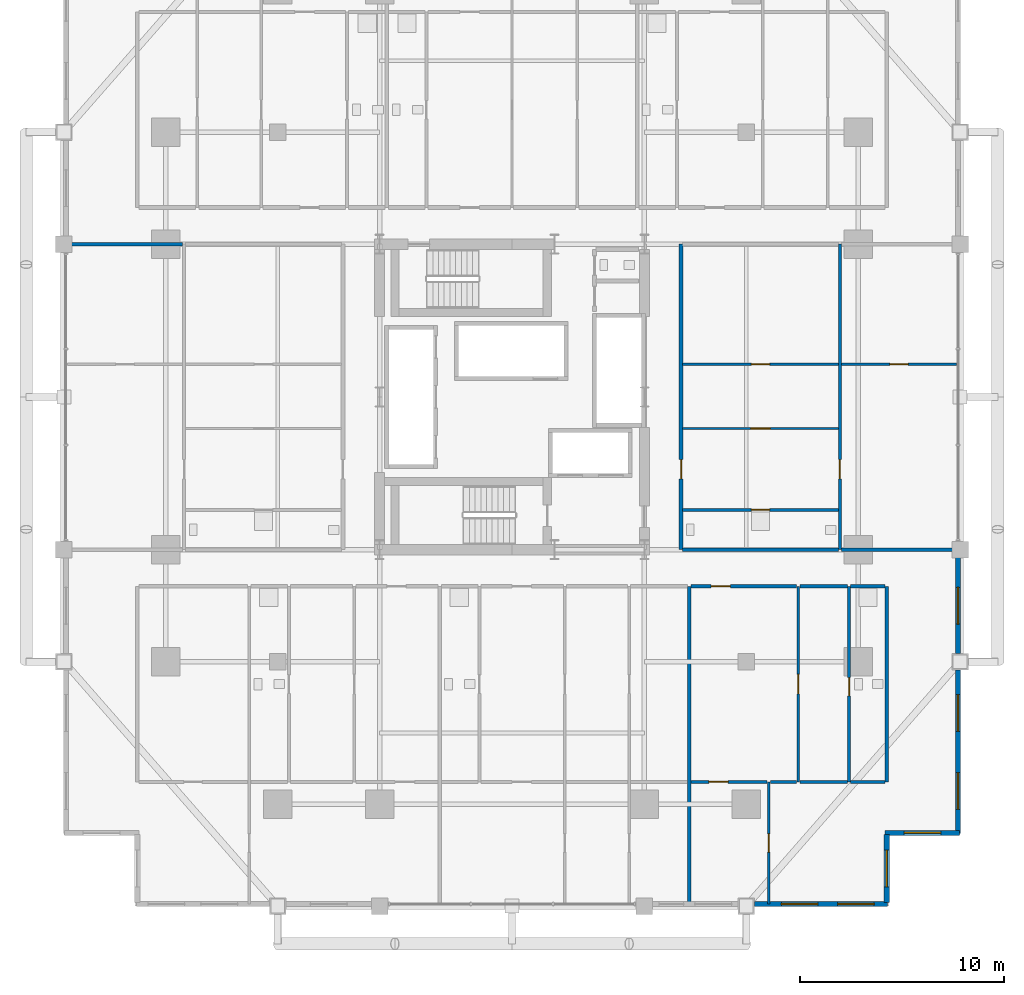
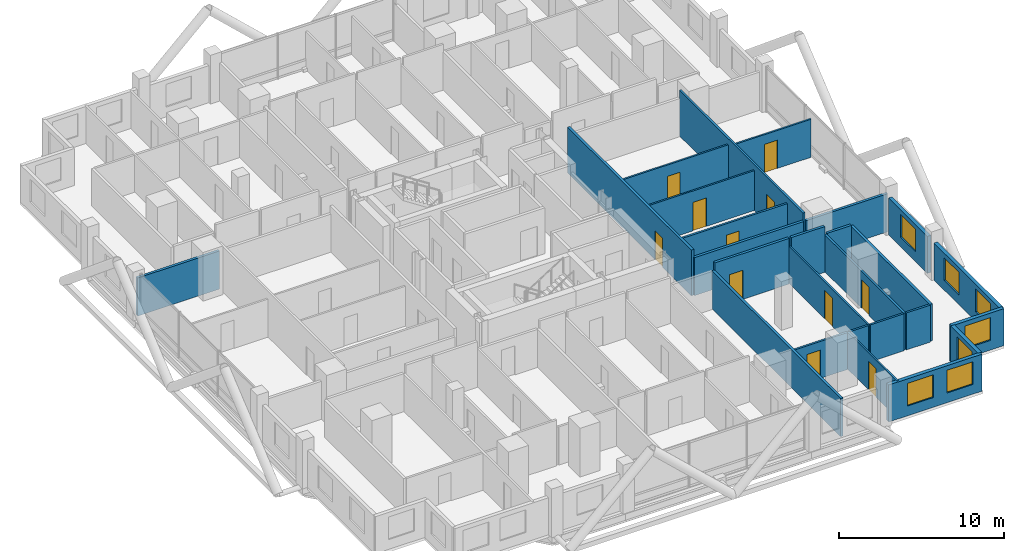
# One storey, part 23 of 28: 26 walls, 11 doors, 7 windows, 18 openings.
"""IFC4 building model written with IfcOpenShell, lengths in metres."""

from ifc_helpers import new_model, si_unit, direction, frame, frame_2d, origin, place, context, subcontext, project, spatial, rectangle, extrude, material, layer, layer_set, type_object, element, fill, save


model = new_model("IFC4")

# Units and contexts
model_context = context("Model", 3, precision=1e-05, world=origin(), true_north=direction((0.0, 1.0)))
body_context = subcontext(model_context, "Body", "Model", "MODEL_VIEW")
ifc_project = project(units=[si_unit("LENGTHUNIT", "METRE"), si_unit("AREAUNIT", "SQUARE_METRE"), si_unit("VOLUMEUNIT", "CUBIC_METRE"), si_unit("PLANEANGLEUNIT", "RADIAN"), si_unit("MASSUNIT", "GRAM", prefix="KILO")], contexts=[model_context])

# Site, building, storey
site_placement = place(None, origin())
site = spatial("IfcSite", under=ifc_project, at=site_placement, CompositionType="ELEMENT")
building_placement = place(site_placement, origin())
building = spatial("IfcBuilding", under=site, at=building_placement, Name="Barlavira Tower and Art Museum", CompositionType="ELEMENT")
storey_placement = place(building_placement, frame((0.0, 0.0, 39.60009765625)))
storey = spatial("IfcBuildingStorey", under=building, at=storey_placement, Name="L08", CompositionType="ELEMENT", Elevation=39.60009765625)

# Wall, opening, door
ifc_material_1 = material(Name="Gypsum acoustic stud partition", Category="gypsum")
ifc_layer_1 = layer(ifc_material_1, 0.1201171875, Name="Gypsum acoustic stud partition")
ifc_layer_set_1 = layer_set([ifc_layer_1], Name="Gypsum acoustic stud partition")
wall_type_1 = type_object("IfcWallType", Name="Apartment Internal Acoustic Partition 120", PredefinedType="PARTITIONING", material=ifc_layer_set_1)
wall_1_placement = place(storey_placement, frame((12.60009765625, -24.89990234375, 0.0), z_axis=(0.0, 0.0, 1.0), x_axis=(0.0, 1.0, 0.0)))
wall_1 = element("IfcWall", 1, at=wall_1_placement, inside=storey, type_object=wall_type_1, Name="L08 Partition Wall 25", PredefinedType="PARTITIONING", context=body_context, shape_type="SweptSolid", body=[
    extrude(rectangle(XDim=6.0, YDim=0.1201171875, at=frame_2d((3.0, 0.0))), origin(), (0.0, 0.0, 1.0), 2.73583984375),
])
opening_1_placement = place(wall_1_placement, frame((2.550048828125, 0.0, 0.0)))
opening_1 = element("IfcOpeningElement", 2, at=opening_1_placement, cuts=wall_1, Name="Opening D-01", PredefinedType="OPENING", context=body_context, shape_type="SweptSolid", body=[
    extrude(rectangle(XDim=0.89990234375, YDim=2.10009765625, at=frame_2d((0.449951171875, 1.050048828125))), frame((0.0, 0.070068359375, 0.0), z_axis=(0.0, -1.0, 0.0), x_axis=(1.0, 0.0, 0.0)), (0.0, 0.0, 1.0), 0.14013671875),
])
ifc_material_2 = material(Name="Engineered coastal hardwood", Category="wood")
door_type_1 = type_object("IfcDoorType", Name="Internal Bedroom Timber Flush Door 900x2100", OperationType="NOTDEFINED", PredefinedType="DOOR", material=ifc_material_2)
door_1_placement = place(opening_1_placement, origin())
door_1 = element("IfcDoor", 3, at=door_1_placement, inside=storey, type_object=door_type_1, Name="Apartment S3 Bedroom 1 Door", OperationType="SINGLE_SWING_LEFT", OverallHeight=2.10009765625, OverallWidth=0.89990234375, PredefinedType="DOOR", context=body_context, shape_type="SweptSolid", body=[
    extrude(rectangle(XDim=0.89990234375, YDim=2.10009765625, at=frame_2d((0.449951171875, 1.050048828125))), frame((0.0, 0.02490234375, 0.0), z_axis=(0.0, -1.0, 0.0), x_axis=(1.0, 0.0, 0.0)), (0.0, 0.0, 1.0), 0.050048828125),
])
fill(opening_1, door_1)

wall_2_placement = place(storey_placement, frame((14.050048828125, -18.89990234375, 0.0), z_axis=(0.0, 0.0, 1.0), x_axis=(0.0, 1.0, 0.0)))
wall_2 = element("IfcWall", 4, at=wall_2_placement, inside=storey, type_object=wall_type_1, Name="L08 Partition Wall 26", PredefinedType="PARTITIONING", context=body_context, shape_type="SweptSolid", body=[
    extrude(rectangle(XDim=9.599853515625, YDim=0.1201171875, at=frame_2d((4.7998046875, 0.0))), origin(), (0.0, 0.0, 1.0), 2.73583984375),
])
opening_2_placement = place(wall_2_placement, frame((4.324951171875, 0.0, 0.0)))
opening_2 = element("IfcOpeningElement", 5, at=opening_2_placement, cuts=wall_2, Name="Opening D-02", PredefinedType="OPENING", context=body_context, shape_type="SweptSolid", body=[
    extrude(rectangle(XDim=0.949951171875, YDim=2.10009765625, at=frame_2d((0.47509765625, 1.050048828125))), frame((0.0, 0.070068359375, 0.0), z_axis=(0.0, -1.0, 0.0), x_axis=(1.0, 0.0, 0.0)), (0.0, 0.0, 1.0), 0.14013671875),
])
door_type_2 = type_object("IfcDoorType", Name="Living and Salon Glazed-Leaf Door 950x2100", OperationType="NOTDEFINED", PredefinedType="DOOR", material=ifc_material_2)
door_2_placement = place(opening_2_placement, origin())
door_2 = element("IfcDoor", 6, at=door_2_placement, inside=storey, type_object=door_type_2, Name="Apartment S3 Kitchen Door", OperationType="SINGLE_SWING_RIGHT", OverallHeight=2.10009765625, OverallWidth=0.949951171875, PredefinedType="DOOR", context=body_context, shape_type="SweptSolid", body=[
    extrude(rectangle(XDim=0.949951171875, YDim=2.10009765625, at=frame_2d((0.47509765625, 1.050048828125))), frame((0.0, 0.02490234375, 0.0), z_axis=(0.0, -1.0, 0.0), x_axis=(1.0, 0.0, 0.0)), (0.0, 0.0, 1.0), 0.050048828125),
])
fill(opening_2, door_2)

wall_3_placement = place(storey_placement, frame((8.3798828125, -1.550048828125, 0.0), z_axis=(0.0, 0.0, 1.0), x_axis=(1.0, 0.0, 0.0)))
wall_3 = element("IfcWall", 7, at=wall_3_placement, inside=storey, type_object=wall_type_1, Name="L08 Partition Wall 62", PredefinedType="PARTITIONING", context=body_context, shape_type="SweptSolid", body=[
    extrude(rectangle(XDim=7.64013671875, YDim=0.1201171875, at=frame_2d((3.820068359375, 0.0))), origin(), (0.0, 0.0, 1.0), 2.947998046875),
])
opening_3_placement = place(wall_3_placement, frame((3.344970703125, 0.0, 0.0)))
opening_3 = element("IfcOpeningElement", 8, at=opening_3_placement, cuts=wall_3, Name="Opening D-02", PredefinedType="OPENING", context=body_context, shape_type="SweptSolid", body=[
    extrude(rectangle(XDim=0.949951171875, YDim=2.10009765625, at=frame_2d((0.47509765625, 1.050048828125))), frame((0.0, 0.070068359375, 0.0), z_axis=(0.0, -1.0, 0.0), x_axis=(1.0, 0.0, 0.0)), (0.0, 0.0, 1.0), 0.14013671875),
])
door_3_placement = place(opening_3_placement, origin())
door_3 = element("IfcDoor", 9, at=door_3_placement, inside=storey, type_object=door_type_2, Name="Apartment E1 Kitchen Door", OperationType="SINGLE_SWING_LEFT", OverallHeight=2.10009765625, OverallWidth=0.949951171875, PredefinedType="DOOR", context=body_context, shape_type="SweptSolid", body=[
    extrude(rectangle(XDim=0.949951171875, YDim=2.10009765625, at=frame_2d((0.47509765625, 1.050048828125))), frame((0.0, 0.02490234375, 0.0), z_axis=(0.0, -1.0, 0.0), x_axis=(1.0, 0.0, 0.0)), (0.0, 0.0, 1.0), 0.050048828125),
])
fill(opening_3, door_3)

wall_4_placement = place(storey_placement, frame((8.3798828125, 1.60009765625, 0.0), z_axis=(0.0, 0.0, 1.0), x_axis=(1.0, 0.0, 0.0)))
wall_4 = element("IfcWall", 10, at=wall_4_placement, inside=storey, type_object=wall_type_1, Name="L08 Partition Wall 65", PredefinedType="PARTITIONING", context=body_context, shape_type="SweptSolid", body=[
    extrude(rectangle(XDim=7.64013671875, YDim=0.1201171875, at=frame_2d((3.820068359375, 0.0))), origin(), (0.0, 0.0, 1.0), 2.947998046875),
])
opening_4_placement = place(wall_4_placement, frame((3.3701171875, 0.0, 0.0)))
opening_4 = element("IfcOpeningElement", 11, at=opening_4_placement, cuts=wall_4, Name="Opening D-01", PredefinedType="OPENING", context=body_context, shape_type="SweptSolid", body=[
    extrude(rectangle(XDim=0.89990234375, YDim=2.10009765625, at=frame_2d((0.449951171875, 1.050048828125))), frame((0.0, 0.070068359375, 0.0), z_axis=(0.0, -1.0, 0.0), x_axis=(1.0, 0.0, 0.0)), (0.0, 0.0, 1.0), 0.14013671875),
])
door_4_placement = place(opening_4_placement, origin())
door_4 = element("IfcDoor", 12, at=door_4_placement, inside=storey, type_object=door_type_1, Name="Apartment E1 Walk-In Dressing Room Door", OperationType="SINGLE_SWING_RIGHT", OverallHeight=2.10009765625, OverallWidth=0.89990234375, PredefinedType="DOOR", context=body_context, shape_type="SweptSolid", body=[
    extrude(rectangle(XDim=0.89990234375, YDim=2.10009765625, at=frame_2d((0.449951171875, 1.050048828125))), frame((0.0, 0.02490234375, 0.0), z_axis=(0.0, -1.0, 0.0), x_axis=(1.0, 0.0, 0.0)), (0.0, 0.0, 1.0), 0.050048828125),
])
fill(opening_4, door_4)

wall_5_placement = place(storey_placement, frame((16.179931640625, 1.60009765625, 0.0), z_axis=(0.0, 0.0, 1.0), x_axis=(1.0, 0.0, 0.0)))
wall_5 = element("IfcWall", 13, at=wall_5_placement, inside=storey, type_object=wall_type_1, Name="L08 Partition Wall 66", PredefinedType="PARTITIONING", context=body_context, shape_type="SweptSolid", body=[
    extrude(rectangle(XDim=5.64013671875, YDim=0.1201171875, at=frame_2d((2.820068359375, 0.0))), origin(), (0.0, 0.0, 1.0), 2.81591796875),
])
opening_5_placement = place(wall_5_placement, frame((2.3701171875, 0.0, 0.0)))
opening_5 = element("IfcOpeningElement", 14, at=opening_5_placement, cuts=wall_5, Name="Opening D-01", PredefinedType="OPENING", context=body_context, shape_type="SweptSolid", body=[
    extrude(rectangle(XDim=0.89990234375, YDim=2.10009765625, at=frame_2d((0.449951171875, 1.050048828125))), frame((0.0, 0.070068359375, 0.0), z_axis=(0.0, -1.0, 0.0), x_axis=(1.0, 0.0, 0.0)), (0.0, 0.0, 1.0), 0.14013671875),
])
door_5_placement = place(opening_5_placement, origin())
door_5 = element("IfcDoor", 15, at=door_5_placement, inside=storey, type_object=door_type_1, Name="Apartment E1 Bedroom 1 Door", OperationType="SINGLE_SWING_RIGHT", OverallHeight=2.10009765625, OverallWidth=0.89990234375, PredefinedType="DOOR", context=body_context, shape_type="SweptSolid", body=[
    extrude(rectangle(XDim=0.89990234375, YDim=2.10009765625, at=frame_2d((0.449951171875, 1.050048828125))), frame((0.0, 0.02490234375, 0.0), z_axis=(0.0, -1.0, 0.0), x_axis=(1.0, 0.0, 0.0)), (0.0, 0.0, 1.0), 0.050048828125),
])
fill(opening_5, door_5)

ifc_layer_2 = layer(ifc_material_1, 0.179931640625, Name="Gypsum acoustic stud partition")
ifc_layer_set_2 = layer_set([ifc_layer_2], Name="Gypsum acoustic stud partition")
wall_type_2 = type_object("IfcWallType", Name="Inter-Tenancy Party Partition Wall 180", PredefinedType="PARTITIONING", material=ifc_layer_set_2)
wall_6_placement = place(storey_placement, frame((8.300048828125, -7.5, 0.0), z_axis=(0.0, 0.0, 1.0), x_axis=(0.0, 1.0, 0.0)))
wall_6 = element("IfcWall", 16, at=wall_6_placement, inside=storey, type_object=wall_type_2, Name="L08 Partition Wall 22", PredefinedType="PARTITIONING", context=body_context, shape_type="SweptSolid", body=[
    extrude(rectangle(XDim=15.0, YDim=0.179931640625, at=frame_2d((7.5, 0.0))), origin(), (0.0, 0.0, 1.0), 3.3798828125),
])
opening_6_placement = place(wall_6_placement, frame((3.47509765625, 0.0, 0.0)))
opening_6 = element("IfcOpeningElement", 17, at=opening_6_placement, cuts=wall_6, Name="Opening FD-60", PredefinedType="OPENING", context=body_context, shape_type="SweptSolid", body=[
    extrude(rectangle(XDim=0.949951171875, YDim=2.14990234375, at=frame_2d((0.47509765625, 1.074951171875))), frame((0.0, 0.10009765625, 0.0), z_axis=(0.0, -1.0, 0.0), x_axis=(1.0, 0.0, 0.0)), (0.0, 0.0, 1.0), 0.199951171875),
])
ifc_material_3 = material(Name="Brushed stainless steel", Category="steel")
door_type_3 = type_object("IfcDoorType", Name="Apartment Entrance and Riser Fire Door 950x2150 FD60S", OperationType="NOTDEFINED", PredefinedType="DOOR", material=ifc_material_3)
door_6_placement = place(opening_6_placement, origin())
door_6 = element("IfcDoor", 18, at=door_6_placement, inside=storey, type_object=door_type_3, Name="Apartment Entrance Hall E1 Door", OperationType="SINGLE_SWING_RIGHT", OverallHeight=2.14990234375, OverallWidth=0.949951171875, PredefinedType="DOOR", context=body_context, shape_type="SweptSolid", body=[
    extrude(rectangle(XDim=0.949951171875, YDim=2.14990234375, at=frame_2d((0.47509765625, 1.074951171875))), frame((0.0, 0.02490234375, 0.0), z_axis=(0.0, -1.0, 0.0), x_axis=(1.0, 0.0, 0.0)), (0.0, 0.0, 1.0), 0.050048828125),
])
fill(opening_6, door_6)

# Walls
wall_7_placement = place(storey_placement, frame((8.699951171875, -24.89990234375, 0.0), z_axis=(0.0, 0.0, 1.0), x_axis=(0.0, 1.0, 0.0)))
element("IfcWall", 19, at=wall_7_placement, inside=storey, type_object=wall_type_2, Name="L08 Partition Wall 23", PredefinedType="PARTITIONING", context=body_context, shape_type="SweptSolid", body=[
    extrude(rectangle(XDim=15.599853515625, YDim=0.179931640625, at=frame_2d((7.7998046875, 0.0))), origin(), (0.0, 0.0, 1.0), 2.81591796875),
])
wall_8_placement = place(storey_placement, frame((18.39990234375, -18.89990234375, 0.0), z_axis=(0.0, 0.0, 1.0), x_axis=(0.0, 1.0, 0.0)))
element("IfcWall", 20, at=wall_8_placement, inside=storey, type_object=wall_type_2, Name="L08 Partition Wall 30", PredefinedType="PARTITIONING", context=body_context, shape_type="SweptSolid", body=[
    extrude(rectangle(XDim=9.599853515625, YDim=0.179931640625, at=frame_2d((4.7998046875, 0.0))), origin(), (0.0, 0.0, 1.0), 2.73583984375),
])

# Wall, opening, door
wall_9_placement = place(storey_placement, frame((8.780029296875, -9.300048828125, 0.0), z_axis=(0.0, 0.0, 1.0), x_axis=(1.0, 0.0, 0.0)))
wall_9 = element("IfcWall", 21, at=wall_9_placement, inside=storey, type_object=wall_type_2, Name="L08 Partition Wall 52", PredefinedType="PARTITIONING", context=body_context, shape_type="SweptSolid", body=[
    extrude(rectangle(XDim=5.18994140625, YDim=0.179931640625, at=frame_2d((2.594970703125, 0.0))), origin(), (0.0, 0.0, 1.0), 3.3798828125),
])
opening_7_placement = place(wall_9_placement, frame((0.9951171875, 0.0, 0.0)))
opening_7 = element("IfcOpeningElement", 22, at=opening_7_placement, cuts=wall_9, Name="Opening FD-60", PredefinedType="OPENING", context=body_context, shape_type="SweptSolid", body=[
    extrude(rectangle(XDim=0.949951171875, YDim=2.14990234375, at=frame_2d((0.47509765625, 1.074951171875))), frame((0.0, 0.10009765625, 0.0), z_axis=(0.0, -1.0, 0.0), x_axis=(1.0, 0.0, 0.0)), (0.0, 0.0, 1.0), 0.199951171875),
])
door_7_placement = place(opening_7_placement, origin())
door_7 = element("IfcDoor", 23, at=door_7_placement, inside=storey, type_object=door_type_3, Name="Apartment Entrance Hall S3 Door", OperationType="SINGLE_SWING_LEFT", OverallHeight=2.14990234375, OverallWidth=0.949951171875, PredefinedType="DOOR", context=body_context, shape_type="SweptSolid", body=[
    extrude(rectangle(XDim=0.949951171875, YDim=2.14990234375, at=frame_2d((0.47509765625, 1.074951171875))), frame((0.0, 0.02490234375, 0.0), z_axis=(0.0, -1.0, 0.0), x_axis=(1.0, 0.0, 0.0)), (0.0, 0.0, 1.0), 0.050048828125),
])
fill(opening_7, door_7)

# Walls
wall_10_placement = place(storey_placement, frame((14.1298828125, -9.300048828125, 0.0), z_axis=(0.0, 0.0, 1.0), x_axis=(1.0, 0.0, 0.0)))
element("IfcWall", 24, at=wall_10_placement, inside=storey, type_object=wall_type_2, Name="L08 Partition Wall 53", PredefinedType="PARTITIONING", context=body_context, shape_type="SweptSolid", body=[
    extrude(rectangle(XDim=2.340087890625, YDim=0.179931640625, at=frame_2d((1.169921875, 0.0))), origin(), (0.0, 0.0, 1.0), 3.3798828125),
])
wall_11_placement = place(storey_placement, frame((16.6298828125, -9.300048828125, 0.0), z_axis=(0.0, 0.0, 1.0), x_axis=(1.0, 0.0, 0.0)))
element("IfcWall", 25, at=wall_11_placement, inside=storey, type_object=wall_type_2, Name="L08 Partition Wall 54", PredefinedType="PARTITIONING", context=body_context, shape_type="SweptSolid", body=[
    extrude(rectangle(XDim=1.690185546875, YDim=0.179931640625, at=frame_2d((0.84521484375, 0.0))), origin(), (0.0, 0.0, 1.0), 2.81591796875),
])
wall_12_placement = place(storey_placement, frame((8.3798828125, -7.5, 0.0), z_axis=(0.0, 0.0, 1.0), x_axis=(1.0, 0.0, 0.0)))
element("IfcWall", 26, at=wall_12_placement, inside=storey, type_object=wall_type_2, Name="L08 Partition Wall 57", PredefinedType="PARTITIONING", context=body_context, shape_type="SweptSolid", body=[
    extrude(rectangle(XDim=7.64013671875, YDim=0.179931640625, at=frame_2d((3.820068359375, 0.0))), origin(), (0.0, 0.0, 1.0), 2.81591796875),
])
for number, where, z_axis, x_axis, name in (
    (27, (16.179931640625, -7.5, 0.0), (0.0, 0.0, 1.0), (1.0, 0.0, 0.0), "L08 Partition Wall 58"),
    (28, (-21.89990234375, 7.5, 0.0), (0.0, 0.0, 1.0), (1.0, 0.0, 0.0), "L08 Partition Wall 69"),
):
    element("IfcWall", number, at=place(storey_placement, frame(where, z_axis=z_axis, x_axis=x_axis)), inside=storey, type_object=wall_type_2, Name=name, PredefinedType="PARTITIONING", context=body_context, shape_type="SweptSolid", body=[
        extrude(rectangle(XDim=5.719970703125, YDim=0.179931640625, at=frame_2d((2.85986328125, 0.0))), origin(), (0.0, 0.0, 1.0), 2.81591796875),
    ])

# Wall, opening, door
ifc_layer_3 = layer(ifc_material_1, 0.139892578125, Name="Gypsum acoustic stud partition")
ifc_layer_set_3 = layer_set([ifc_layer_3], Name="Gypsum acoustic stud partition")
wall_type_3 = type_object("IfcWallType", Name="Moisture-Resistant Bathroom Partition 140", PredefinedType="PARTITIONING", material=ifc_layer_set_3)
wall_13_placement = place(storey_placement, frame((16.10009765625, -7.5, 0.0), z_axis=(0.0, 0.0, 1.0), x_axis=(0.0, 1.0, 0.0)))
wall_13 = element("IfcWall", 29, at=wall_13_placement, inside=storey, type_object=wall_type_3, Name="L08 Partition Wall 28", PredefinedType="PARTITIONING", context=body_context, shape_type="SweptSolid", body=[
    extrude(rectangle(XDim=15.0, YDim=0.139892578125, at=frame_2d((7.5, 0.0))), origin(), (0.0, 0.0, 1.0), 3.3798828125),
])
opening_8_placement = place(wall_13_placement, frame((3.47509765625, 0.0, 0.0)))
opening_8 = element("IfcOpeningElement", 30, at=opening_8_placement, cuts=wall_13, Name="Opening D-02", PredefinedType="OPENING", context=body_context, shape_type="SweptSolid", body=[
    extrude(rectangle(XDim=0.949951171875, YDim=2.10009765625, at=frame_2d((0.47509765625, 1.050048828125))), frame((0.0, 0.080078125, 0.0), z_axis=(0.0, -1.0, 0.0), x_axis=(1.0, 0.0, 0.0)), (0.0, 0.0, 1.0), 0.159912109375),
])
door_8_placement = place(opening_8_placement, origin())
door_8 = element("IfcDoor", 31, at=door_8_placement, inside=storey, type_object=door_type_2, Name="Apartment E1 Living Lounge Door", OperationType="SINGLE_SWING_LEFT", OverallHeight=2.10009765625, OverallWidth=0.949951171875, PredefinedType="DOOR", context=body_context, shape_type="SweptSolid", body=[
    extrude(rectangle(XDim=0.949951171875, YDim=2.10009765625, at=frame_2d((0.47509765625, 1.050048828125))), frame((0.0, 0.02490234375, 0.0), z_axis=(0.0, -1.0, 0.0), x_axis=(1.0, 0.0, 0.0)), (0.0, 0.0, 1.0), 0.050048828125),
])
fill(opening_8, door_8)

wall_14_placement = place(storey_placement, frame((16.550048828125, -18.89990234375, 0.0), z_axis=(0.0, 0.0, 1.0), x_axis=(0.0, 1.0, 0.0)))
wall_14 = element("IfcWall", 32, at=wall_14_placement, inside=storey, type_object=wall_type_3, Name="L08 Partition Wall 29", PredefinedType="PARTITIONING", context=body_context, shape_type="SweptSolid", body=[
    extrude(rectangle(XDim=9.599853515625, YDim=0.139892578125, at=frame_2d((4.7998046875, 0.0))), origin(), (0.0, 0.0, 1.0), 2.73583984375),
])
opening_9_placement = place(wall_14_placement, frame((4.2216796875, 0.0, 0.0)))
opening_9 = element("IfcOpeningElement", 33, at=opening_9_placement, cuts=wall_14, Name="Opening D-WC", PredefinedType="OPENING", context=body_context, shape_type="SweptSolid", body=[
    extrude(rectangle(XDim=0.89990234375, YDim=2.10009765625, at=frame_2d((0.449951171875, 1.050048828125))), frame((0.0, 0.080078125, 0.0), z_axis=(0.0, -1.0, 0.0), x_axis=(1.0, 0.0, 0.0)), (0.0, 0.0, 1.0), 0.159912109375),
])
door_type_4 = type_object("IfcDoorType", Name="Accessible Bathroom Flush Door 900x2100", OperationType="NOTDEFINED", PredefinedType="DOOR", material=ifc_material_2)
door_9_placement = place(opening_9_placement, origin())
door_9 = element("IfcDoor", 34, at=door_9_placement, inside=storey, type_object=door_type_4, Name="Apartment S3 Hall Bathroom Door", OperationType="SINGLE_SWING_LEFT", OverallHeight=2.10009765625, OverallWidth=0.89990234375, PredefinedType="DOOR", context=body_context, shape_type="SweptSolid", body=[
    extrude(rectangle(XDim=0.89990234375, YDim=2.10009765625, at=frame_2d((0.449951171875, 1.050048828125))), frame((0.0, 0.02490234375, 0.0), z_axis=(0.0, -1.0, 0.0), x_axis=(1.0, 0.0, 0.0)), (0.0, 0.0, 1.0), 0.050048828125),
])
fill(opening_9, door_9)

wall_15_placement = place(storey_placement, frame((8.780029296875, -18.89990234375, 0.0), z_axis=(0.0, 0.0, 1.0), x_axis=(1.0, 0.0, 0.0)))
wall_15 = element("IfcWall", 35, at=wall_15_placement, inside=storey, type_object=wall_type_3, Name="L08 Partition Wall 40", PredefinedType="PARTITIONING", context=body_context, shape_type="SweptSolid", body=[
    extrude(rectangle(XDim=3.739990234375, YDim=0.139892578125, at=frame_2d((1.8701171875, 0.0))), origin(), (0.0, 0.0, 1.0), 2.73583984375),
])
opening_10_placement = place(wall_15_placement, frame((0.885009765625, 0.0, 0.0)))
opening_10 = element("IfcOpeningElement", 36, at=opening_10_placement, cuts=wall_15, Name="Opening D-02", PredefinedType="OPENING", context=body_context, shape_type="SweptSolid", body=[
    extrude(rectangle(XDim=0.949951171875, YDim=2.10009765625, at=frame_2d((0.47509765625, 1.050048828125))), frame((0.0, 0.080078125, 0.0), z_axis=(0.0, -1.0, 0.0), x_axis=(1.0, 0.0, 0.0)), (0.0, 0.0, 1.0), 0.159912109375),
])
door_10_placement = place(opening_10_placement, origin())
door_10 = element("IfcDoor", 37, at=door_10_placement, inside=storey, type_object=door_type_2, Name="Apartment S3 Living Lounge Door", OperationType="SINGLE_SWING_RIGHT", OverallHeight=2.10009765625, OverallWidth=0.949951171875, PredefinedType="DOOR", context=body_context, shape_type="SweptSolid", body=[
    extrude(rectangle(XDim=0.949951171875, YDim=2.10009765625, at=frame_2d((0.47509765625, 1.050048828125))), frame((0.0, 0.02490234375, 0.0), z_axis=(0.0, -1.0, 0.0), x_axis=(1.0, 0.0, 0.0)), (0.0, 0.0, 1.0), 0.050048828125),
])
fill(opening_10, door_10)

# Walls
wall_16_placement = place(storey_placement, frame((12.679931640625, -18.89990234375, 0.0), z_axis=(0.0, 0.0, 1.0), x_axis=(1.0, 0.0, 0.0)))
element("IfcWall", 38, at=wall_16_placement, inside=storey, type_object=wall_type_3, Name="L08 Partition Wall 41", PredefinedType="PARTITIONING", context=body_context, shape_type="SweptSolid", body=[
    extrude(rectangle(XDim=1.2900390625, YDim=0.139892578125, at=frame_2d((0.64501953125, 0.0))), origin(), (0.0, 0.0, 1.0), 2.73583984375),
])
wall_17_placement = place(storey_placement, frame((14.1298828125, -18.89990234375, 0.0), z_axis=(0.0, 0.0, 1.0), x_axis=(1.0, 0.0, 0.0)))
element("IfcWall", 39, at=wall_17_placement, inside=storey, type_object=wall_type_3, Name="L08 Partition Wall 42", PredefinedType="PARTITIONING", context=body_context, shape_type="SweptSolid", body=[
    extrude(rectangle(XDim=2.340087890625, YDim=0.139892578125, at=frame_2d((1.169921875, 0.0))), origin(), (0.0, 0.0, 1.0), 2.73583984375),
])
wall_18_placement = place(storey_placement, frame((16.6298828125, -18.89990234375, 0.0), z_axis=(0.0, 0.0, 1.0), x_axis=(1.0, 0.0, 0.0)))
element("IfcWall", 40, at=wall_18_placement, inside=storey, type_object=wall_type_3, Name="L08 Partition Wall 43", PredefinedType="PARTITIONING", context=body_context, shape_type="SweptSolid", body=[
    extrude(rectangle(XDim=1.690185546875, YDim=0.139892578125, at=frame_2d((0.84521484375, 0.0))), origin(), (0.0, 0.0, 1.0), 2.73583984375),
])

# Wall, opening, door
wall_19_placement = place(storey_placement, frame((8.3798828125, -5.550048828125, 0.0), z_axis=(0.0, 0.0, 1.0), x_axis=(1.0, 0.0, 0.0)))
wall_19 = element("IfcWall", 41, at=wall_19_placement, inside=storey, type_object=wall_type_3, Name="L08 Partition Wall 60", PredefinedType="PARTITIONING", context=body_context, shape_type="SweptSolid", body=[
    extrude(rectangle(XDim=7.64013671875, YDim=0.139892578125, at=frame_2d((3.820068359375, 0.0))), origin(), (0.0, 0.0, 1.0), 2.947998046875),
])
opening_11_placement = place(wall_19_placement, frame((3.3701171875, 0.0, 0.0)))
opening_11 = element("IfcOpeningElement", 42, at=opening_11_placement, cuts=wall_19, Name="Opening D-WC", PredefinedType="OPENING", context=body_context, shape_type="SweptSolid", body=[
    extrude(rectangle(XDim=0.89990234375, YDim=2.10009765625, at=frame_2d((0.449951171875, 1.050048828125))), frame((0.0, 0.080078125, 0.0), z_axis=(0.0, -1.0, 0.0), x_axis=(1.0, 0.0, 0.0)), (0.0, 0.0, 1.0), 0.159912109375),
])
door_11_placement = place(opening_11_placement, origin())
door_11 = element("IfcDoor", 43, at=door_11_placement, inside=storey, type_object=door_type_4, Name="Apartment E1 Hall Bathroom Door", OperationType="SINGLE_SWING_LEFT", OverallHeight=2.10009765625, OverallWidth=0.89990234375, PredefinedType="DOOR", context=body_context, shape_type="SweptSolid", body=[
    extrude(rectangle(XDim=0.89990234375, YDim=2.10009765625, at=frame_2d((0.449951171875, 1.050048828125))), frame((0.0, 0.02490234375, 0.0), z_axis=(0.0, -1.0, 0.0), x_axis=(1.0, 0.0, 0.0)), (0.0, 0.0, 1.0), 0.050048828125),
])
fill(opening_11, door_11)

# Wall, openings, windows
ifc_material_4 = material(Name="Precast concrete C40", Category="concrete")
ifc_layer_4 = layer(ifc_material_4, 0.25, Name="Precast concrete C40")
ifc_layer_set_4 = layer_set([ifc_layer_4], Name="Precast concrete C40")
wall_type_4 = type_object("IfcWallType", Name="Notched Corner Spandrel Wall 250 Precast Concrete C40", PredefinedType="SOLIDWALL", material=ifc_layer_set_4)
wall_20_placement = place(storey_placement, frame((11.89501953125, -24.89990234375, 0.0), z_axis=(0.0, 0.0, 1.0), x_axis=(1.0, 0.0, 0.0)))
wall_20 = element("IfcWall", 44, at=wall_20_placement, inside=storey, type_object=wall_type_4, Name="L08 Coastal Facade Pier Wall CW1-L08-S-5", PredefinedType="SOLIDWALL", context=body_context, shape_type="SweptSolid", body=[
    extrude(rectangle(XDim=6.530029296875, YDim=0.25, at=frame_2d((3.26513671875, 0.0))), origin(), (0.0, 0.0, 1.0), 2.73583984375),
])
opening_12_placement = place(wall_20_placement, frame((1.325927734375, 0.0, 0.719970703125)))
opening_12 = element("IfcOpeningElement", 45, at=opening_12_placement, cuts=wall_20, Name="Opening WN-01", PredefinedType="OPENING", context=body_context, shape_type="SweptSolid", body=[
    extrude(rectangle(XDim=1.800048828125, YDim=1.679931640625, at=frame_2d((0.89990234375, 0.83984375))), frame((0.0, 0.135009765625, 0.0), z_axis=(0.0, -1.0, 0.0), x_axis=(1.0, 0.0, 0.0)), (0.0, 0.0, 1.0), 0.27001953125),
])
opening_13_placement = place(wall_20_placement, frame((4.089111328125, 0.0, 0.719970703125)))
opening_13 = element("IfcOpeningElement", 46, at=opening_13_placement, cuts=wall_20, Name="Opening WN-01", PredefinedType="OPENING", context=body_context, shape_type="SweptSolid", body=[
    extrude(rectangle(XDim=1.800048828125, YDim=1.679931640625, at=frame_2d((0.89990234375, 0.83984375))), frame((0.0, 0.135009765625, 0.0), z_axis=(0.0, -1.0, 0.0), x_axis=(1.0, 0.0, 0.0)), (0.0, 0.0, 1.0), 0.27001953125),
])
ifc_material_5 = material(Name="Low-iron coastal laminated glass", Category="glass")
window_type = type_object("IfcWindowType", Name="Recessed Notch Corner Punch Window 1800x1680", PartitioningType="SINGLE_PANEL", PredefinedType="WINDOW", material=ifc_material_5)
window_1_placement = place(opening_12_placement, origin())
window_1 = element("IfcWindow", 47, at=window_1_placement, inside=storey, type_object=window_type, Name="L08 Punched Facade Window EWP-CW1-L08-S-5-1", OverallHeight=1.679931640625, OverallWidth=1.800048828125, PartitioningType="SINGLE_PANEL", PredefinedType="WINDOW", context=body_context, shape_type="SweptSolid", body=[
    extrude(rectangle(XDim=1.800048828125, YDim=1.679931640625, at=frame_2d((0.89990234375, 0.83984375))), frame((0.0, 0.030029296875, 0.0), z_axis=(0.0, -1.0, 0.0), x_axis=(1.0, 0.0, 0.0)), (0.0, 0.0, 1.0), 0.06005859375),
])
fill(opening_12, window_1)
window_2_placement = place(opening_13_placement, origin())
window_2 = element("IfcWindow", 48, at=window_2_placement, inside=storey, type_object=window_type, Name="L08 Punched Facade Window EWP-CW1-L08-S-5-2", OverallHeight=1.679931640625, OverallWidth=1.800048828125, PartitioningType="SINGLE_PANEL", PredefinedType="WINDOW", context=body_context, shape_type="SweptSolid", body=[
    extrude(rectangle(XDim=1.800048828125, YDim=1.679931640625, at=frame_2d((0.89990234375, 0.83984375))), frame((0.0, 0.030029296875, 0.0), z_axis=(0.0, -1.0, 0.0), x_axis=(1.0, 0.0, 0.0)), (0.0, 0.0, 1.0), 0.06005859375),
])
fill(opening_13, window_2)

wall_21_placement = place(storey_placement, frame((21.89990234375, -21.425048828125, 0.0), z_axis=(0.0, 0.0, 1.0), x_axis=(0.0, 1.0, 0.0)))
wall_21 = element("IfcWall", 49, at=wall_21_placement, inside=storey, type_object=wall_type_4, Name="L08 Coastal Facade Pier Wall CW1-L08-E-1", PredefinedType="SOLIDWALL", context=body_context, shape_type="SweptSolid", body=[
    extrude(rectangle(XDim=8.030029296875, YDim=0.25, at=frame_2d((4.01513671875, 0.0))), origin(), (0.0, 0.0, 1.0), 2.73583984375),
])
opening_14_placement = place(wall_21_placement, frame((1.176025390625, 0.0, 0.719970703125)))
opening_14 = element("IfcOpeningElement", 50, at=opening_14_placement, cuts=wall_21, Name="Opening WN-01", PredefinedType="OPENING", context=body_context, shape_type="SweptSolid", body=[
    extrude(rectangle(XDim=1.800048828125, YDim=1.679931640625, at=frame_2d((0.89990234375, 0.83984375))), frame((0.0, 0.135009765625, 0.0), z_axis=(0.0, -1.0, 0.0), x_axis=(1.0, 0.0, 0.0)), (0.0, 0.0, 1.0), 0.27001953125),
])
opening_15_placement = place(wall_21_placement, frame((5.009033203125, 0.0, 0.719970703125)))
opening_15 = element("IfcOpeningElement", 51, at=opening_15_placement, cuts=wall_21, Name="Opening WN-01", PredefinedType="OPENING", context=body_context, shape_type="SweptSolid", body=[
    extrude(rectangle(XDim=1.800048828125, YDim=1.679931640625, at=frame_2d((0.89990234375, 0.83984375))), frame((0.0, 0.135009765625, 0.0), z_axis=(0.0, -1.0, 0.0), x_axis=(1.0, 0.0, 0.0)), (0.0, 0.0, 1.0), 0.27001953125),
])
window_3_placement = place(opening_14_placement, origin())
window_3 = element("IfcWindow", 52, at=window_3_placement, inside=storey, type_object=window_type, Name="L08 Punched Facade Window EWP-CW1-L08-E-1-1", OverallHeight=1.679931640625, OverallWidth=1.800048828125, PartitioningType="SINGLE_PANEL", PredefinedType="WINDOW", context=body_context, shape_type="SweptSolid", body=[
    extrude(rectangle(XDim=1.800048828125, YDim=1.679931640625, at=frame_2d((0.89990234375, 0.83984375))), frame((0.0, 0.030029296875, 0.0), z_axis=(0.0, -1.0, 0.0), x_axis=(1.0, 0.0, 0.0)), (0.0, 0.0, 1.0), 0.06005859375),
])
fill(opening_14, window_3)
window_4_placement = place(opening_15_placement, origin())
window_4 = element("IfcWindow", 53, at=window_4_placement, inside=storey, type_object=window_type, Name="L08 Punched Facade Window EWP-CW1-L08-E-1-2", OverallHeight=1.679931640625, OverallWidth=1.800048828125, PartitioningType="SINGLE_PANEL", PredefinedType="WINDOW", context=body_context, shape_type="SweptSolid", body=[
    extrude(rectangle(XDim=1.800048828125, YDim=1.679931640625, at=frame_2d((0.89990234375, 0.83984375))), frame((0.0, 0.030029296875, 0.0), z_axis=(0.0, -1.0, 0.0), x_axis=(1.0, 0.0, 0.0)), (0.0, 0.0, 1.0), 0.06005859375),
])
fill(opening_15, window_4)

# Wall, opening, window
wall_22_placement = place(storey_placement, frame((21.89990234375, -12.60498046875, 0.0), z_axis=(0.0, 0.0, 1.0), x_axis=(0.0, 1.0, 0.0)))
wall_22 = element("IfcWall", 54, at=wall_22_placement, inside=storey, type_object=wall_type_4, Name="L08 Coastal Facade Pier Wall CW1-L08-E-2", PredefinedType="SOLIDWALL", context=body_context, shape_type="SweptSolid", body=[
    extrude(rectangle(XDim=4.7099609375, YDim=0.25, at=frame_2d((2.35498046875, 0.0))), origin(), (0.0, 0.0, 1.0), 2.73583984375),
])
opening_16_placement = place(wall_22_placement, frame((1.455078125, 0.0, 0.719970703125)))
opening_16 = element("IfcOpeningElement", 55, at=opening_16_placement, cuts=wall_22, Name="Opening WN-01", PredefinedType="OPENING", context=body_context, shape_type="SweptSolid", body=[
    extrude(rectangle(XDim=1.800048828125, YDim=1.679931640625, at=frame_2d((0.89990234375, 0.83984375))), frame((0.0, 0.135009765625, 0.0), z_axis=(0.0, -1.0, 0.0), x_axis=(1.0, 0.0, 0.0)), (0.0, 0.0, 1.0), 0.27001953125),
])
window_5_placement = place(opening_16_placement, origin())
window_5 = element("IfcWindow", 56, at=window_5_placement, inside=storey, type_object=window_type, Name="L08 Punched Facade Window EWP-CW1-L08-E-2-1", OverallHeight=1.679931640625, OverallWidth=1.800048828125, PartitioningType="SINGLE_PANEL", PredefinedType="WINDOW", context=body_context, shape_type="SweptSolid", body=[
    extrude(rectangle(XDim=1.800048828125, YDim=1.679931640625, at=frame_2d((0.89990234375, 0.83984375))), frame((0.0, 0.030029296875, 0.0), z_axis=(0.0, -1.0, 0.0), x_axis=(1.0, 0.0, 0.0)), (0.0, 0.0, 1.0), 0.06005859375),
])
fill(opening_16, window_5)

wall_23_placement = place(storey_placement, frame((18.39990234375, -24.820068359375, 0.0), z_axis=(0.0, 0.0, 1.0), x_axis=(0.0, 1.0, 0.0)))
wall_23 = element("IfcWall", 57, at=wall_23_placement, inside=storey, type_object=wall_type_4, Name="L08 Notch Corner Wall SE1", PredefinedType="SOLIDWALL", context=body_context, shape_type="SweptSolid", body=[
    extrude(rectangle(XDim=3.340087890625, YDim=0.25, at=frame_2d((1.669921875, 0.0))), origin(), (0.0, 0.0, 1.0), 2.73583984375),
])
opening_17_placement = place(wall_23_placement, frame((0.77001953125, 0.0, 0.719970703125)))
opening_17 = element("IfcOpeningElement", 58, at=opening_17_placement, cuts=wall_23, Name="Opening WN-01", PredefinedType="OPENING", context=body_context, shape_type="SweptSolid", body=[
    extrude(rectangle(XDim=1.800048828125, YDim=1.679931640625, at=frame_2d((0.89990234375, 0.83984375))), frame((0.0, 0.135009765625, 0.0), z_axis=(0.0, -1.0, 0.0), x_axis=(1.0, 0.0, 0.0)), (0.0, 0.0, 1.0), 0.27001953125),
])
window_6_placement = place(opening_17_placement, origin())
window_6 = element("IfcWindow", 59, at=window_6_placement, inside=storey, type_object=window_type, Name="L08 Punched Facade Window EW-NTC-L08-SE1-1", OverallHeight=1.679931640625, OverallWidth=1.800048828125, PartitioningType="SINGLE_PANEL", PredefinedType="WINDOW", context=body_context, shape_type="SweptSolid", body=[
    extrude(rectangle(XDim=1.800048828125, YDim=1.679931640625, at=frame_2d((0.89990234375, 0.83984375))), frame((0.0, 0.030029296875, 0.0), z_axis=(0.0, -1.0, 0.0), x_axis=(1.0, 0.0, 0.0)), (0.0, 0.0, 1.0), 0.06005859375),
])
fill(opening_17, window_6)

wall_24_placement = place(storey_placement, frame((18.320068359375, -21.39990234375, 0.0), z_axis=(0.0, 0.0, 1.0), x_axis=(1.0, 0.0, 0.0)))
wall_24 = element("IfcWall", 60, at=wall_24_placement, inside=storey, type_object=wall_type_4, Name="L08 Notch Corner Wall SE2", PredefinedType="SOLIDWALL", context=body_context, shape_type="SweptSolid", body=[
    extrude(rectangle(XDim=3.659912109375, YDim=0.25, at=frame_2d((1.830078125, 0.0))), origin(), (0.0, 0.0, 1.0), 2.73583984375),
])
opening_18_placement = place(wall_24_placement, frame((0.929931640625, 0.0, 0.719970703125)))
opening_18 = element("IfcOpeningElement", 61, at=opening_18_placement, cuts=wall_24, Name="Opening WN-01", PredefinedType="OPENING", context=body_context, shape_type="SweptSolid", body=[
    extrude(rectangle(XDim=1.800048828125, YDim=1.679931640625, at=frame_2d((0.89990234375, 0.83984375))), frame((0.0, 0.135009765625, 0.0), z_axis=(0.0, -1.0, 0.0), x_axis=(1.0, 0.0, 0.0)), (0.0, 0.0, 1.0), 0.27001953125),
])
window_7_placement = place(opening_18_placement, origin())
window_7 = element("IfcWindow", 62, at=window_7_placement, inside=storey, type_object=window_type, Name="L08 Punched Facade Window EW-NTC-L08-SE2-1", OverallHeight=1.679931640625, OverallWidth=1.800048828125, PartitioningType="SINGLE_PANEL", PredefinedType="WINDOW", context=body_context, shape_type="SweptSolid", body=[
    extrude(rectangle(XDim=1.800048828125, YDim=1.679931640625, at=frame_2d((0.89990234375, 0.83984375))), frame((0.0, 0.030029296875, 0.0), z_axis=(0.0, -1.0, 0.0), x_axis=(1.0, 0.0, 0.0)), (0.0, 0.0, 1.0), 0.06005859375),
])
fill(opening_18, window_7)

save(model, "model.ifc")
